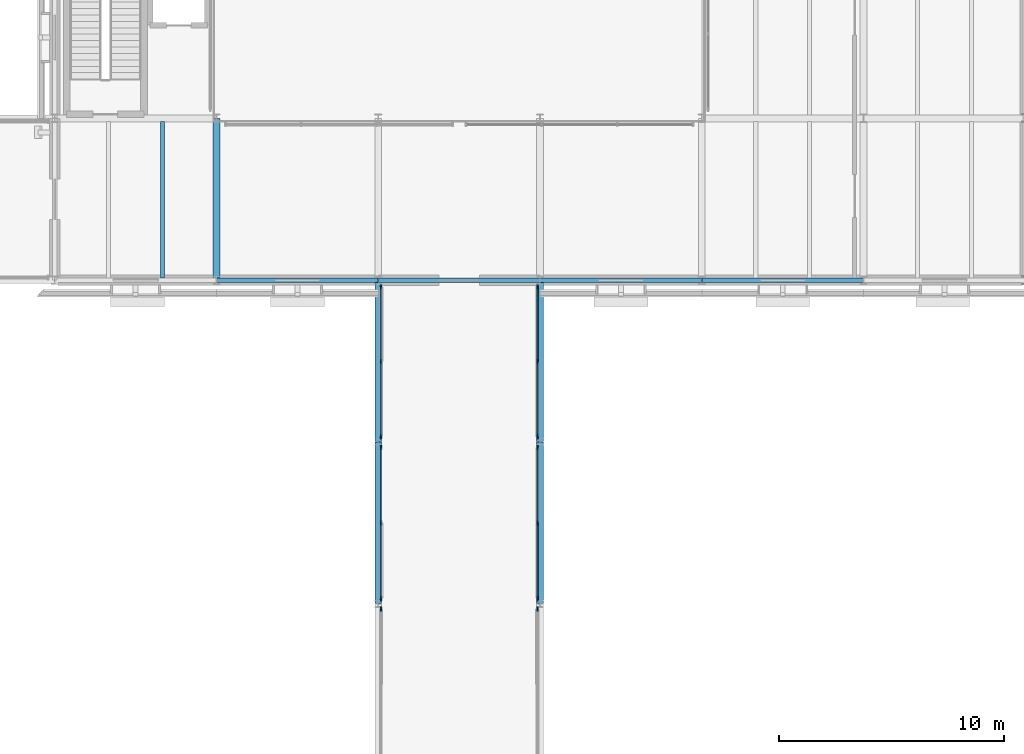
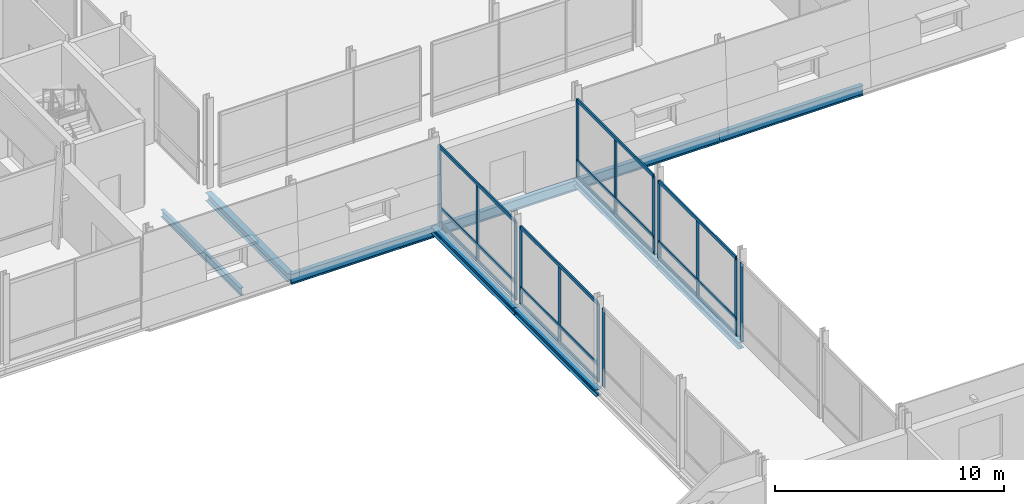
# One storey, part 44 of 121: 26 members, 10 beams, 6 elements without a shape of their own.
"""IFC4 building model written with IfcOpenShell, lengths in metres."""

from ifc_helpers import new_model, si_unit, direction, frame, origin, origin_2d, place, context, subcontext, project, spatial, rectangle, i_section, extrude, material, layer, layer_set, material_profile, profile_set, type_object, element, aggregate, save


model = new_model("IFC4")

# Units and contexts
model_context = context("Model", 3, precision=1e-05, world=origin(), true_north=direction((0.0, 1.0)))
body_context = subcontext(model_context, "Body", "Model", "MODEL_VIEW")
ifc_project = project(units=[si_unit("LENGTHUNIT", "METRE"), si_unit("AREAUNIT", "SQUARE_METRE"), si_unit("VOLUMEUNIT", "CUBIC_METRE"), si_unit("PLANEANGLEUNIT", "RADIAN"), si_unit("MASSUNIT", "GRAM", prefix="KILO")], contexts=[model_context])

# Site, building, storey
site_placement = place(None, origin())
site = spatial("IfcSite", under=ifc_project, at=site_placement, CompositionType="ELEMENT")
building_placement = place(site_placement, origin())
building = spatial("IfcBuilding", under=site, at=building_placement, Name="Narikvali Park Central Library", CompositionType="ELEMENT")
storey_placement = place(building_placement, frame((0.0, 0.0, 5.39990234375)))
storey = spatial("IfcBuildingStorey", under=building, at=storey_placement, Name="L01", CompositionType="ELEMENT", Elevation=5.39990234375)

# Beams
ifc_material_1 = material(Name="Steel S355", Category="steel")
ifc_material_profile_1 = material_profile(ifc_material_1, i_section(OverallWidth=0.300048828125, OverallDepth=0.360107421875, WebThickness=0.012451171875, FlangeThickness=0.0224609375, FilletRadius=0.027099609375, at=origin_2d()), Name="HEB 360")
ifc_profile_set_1 = profile_set([ifc_material_profile_1], Name="Steel S355")
beam_type_1 = type_object("IfcBeamType", Name="Cloister Bridge Girder HEB360", PredefinedType="BEAM", material=ifc_profile_set_1)
for number, where, z_axis, x_axis, name in (
    (1, (136.800048828125, 64.81005859375, -0.429931640625), (0.0, 1.0, 0.0), (-1.0, 0.0, 0.0), "BRG-4 L01 Sliding Bridge Girder 1-3"),
    (2, (136.800048828125, 72.010009765625, -0.429931640625), (0.0, 1.0, 0.0), (-1.0, 0.0, 0.0), "BRG-4 L01 Sliding Bridge Girder 1-4"),
    (3, (144.0, 64.81005859375, -0.429931640625), (0.0, 1.0, 0.0), (-1.0, 0.0, 0.0), "BRG-4 L01 Sliding Bridge Girder 2-3"),
    (4, (144.0, 72.010009765625, -0.429931640625), (0.0, 1.0, 0.0), (-1.0, 0.0, 0.0), "BRG-4 L01 Sliding Bridge Girder 2-4"),
):
    element("IfcBeam", number, at=place(storey_placement, frame(where, z_axis=z_axis, x_axis=x_axis)), inside=storey, type_object=beam_type_1, Name=name, PredefinedType="BEAM", context=body_context, shape_type="SweptSolid", body=[
        extrude(i_section(OverallWidth=0.300048828125, OverallDepth=0.360107421875, WebThickness=0.012451171875, FlangeThickness=0.0224609375, FilletRadius=0.027099609375, at=origin_2d()), origin(), (0.0, 0.0, 1.0), 7.179931640625),
    ])
ifc_material_profile_2 = material_profile(ifc_material_1, i_section(OverallWidth=0.179931640625, OverallDepth=0.39990234375, WebThickness=0.008544921875, FlangeThickness=0.013427734375, FilletRadius=0.02099609375, at=origin_2d()), Name="IPE 400")
ifc_profile_set_2 = profile_set([ifc_material_profile_2], Name="Steel S355")
beam_type_2 = type_object("IfcBeamType", Name="Composite Floor Joist IPE400", PredefinedType="JOIST", material=ifc_profile_set_2)
beam_1_placement = place(storey_placement, frame((127.199951171875, 79.304931640625, -0.47998046875), z_axis=(0.0, 1.0, 0.0), x_axis=(-1.0, 0.0, 0.0)))
element("IfcBeam", 5, at=beam_1_placement, inside=storey, type_object=beam_type_2, Name="V3 L01 Composite Joist 2", PredefinedType="JOIST", context=body_context, shape_type="SweptSolid", body=[
    extrude(i_section(OverallWidth=0.179931640625, OverallDepth=0.39990234375, WebThickness=0.008544921875, FlangeThickness=0.013427734375, FilletRadius=0.02099609375, at=origin_2d()), origin(), (0.0, 0.0, 1.0), 6.945068359375),
])

# Curtain wall, members
ifc_material_2 = material(Name="Anodised Bronze Aluminium", Category="aluminium")
ifc_layer = layer(ifc_material_2, 0.219970703125, Name="Anodised Bronze Aluminium")
ifc_layer_set = layer_set([ifc_layer], Name="Anodised Bronze Aluminium")
curtain_wall_type = type_object("IfcCurtainWallType", Name="Bridge Covered Passage Glazing System", PredefinedType="NOTDEFINED", material=ifc_layer_set)
curtain_wall_1_placement = place(storey_placement, origin())
curtain_wall_1 = element("IfcCurtainWall", 6, at=curtain_wall_1_placement, inside=storey, type_object=curtain_wall_type, Name="Bridge Covered Passage Glazing System CW-BRG-4-L01-W3", PredefinedType="NOTDEFINED")
ifc_material_profile_3 = material_profile(ifc_material_2, rectangle(XDim=0.074951171875, YDim=0.179931640625, at=origin_2d()), Name="CW TRANSOM 75x180")
ifc_profile_set_3 = profile_set([ifc_material_profile_3], Name="Anodised Bronze Aluminium")
member_type_1 = type_object("IfcMemberType", Name="Curtain Wall Heavy Transom 75x180", PredefinedType="USERDEFINED", material=ifc_profile_set_3)
member_1_placement = place(storey_placement, frame((136.919921875, 65.0400390625, 0.030029296875), z_axis=(0.0, 1.0, 0.0), x_axis=(-1.0, 0.0, 0.0)))
member_1 = element("IfcMember", 7, at=member_1_placement, type_object=member_type_1, Name="CW-BRG-4-L01-W3 Transom 00", ObjectType="TRANSOM", PredefinedType="USERDEFINED", context=body_context, shape_type="SweptSolid", body=[
    extrude(rectangle(XDim=0.074951171875, YDim=0.179931640625, at=origin_2d()), origin(), (0.0, 0.0, 1.0), 6.719970703125),
])
member_2_placement = place(storey_placement, frame((136.919921875, 65.0400390625, 0.900146484375), z_axis=(0.0, 1.0, 0.0), x_axis=(-1.0, 0.0, 0.0)))
member_2 = element("IfcMember", 8, at=member_2_placement, type_object=member_type_1, Name="CW-BRG-4-L01-W3 Transom 01", ObjectType="TRANSOM", PredefinedType="USERDEFINED", context=body_context, shape_type="SweptSolid", body=[
    extrude(rectangle(XDim=0.074951171875, YDim=0.179931640625, at=origin_2d()), origin(), (0.0, 0.0, 1.0), 6.719970703125),
])
member_3_placement = place(storey_placement, frame((136.919921875, 65.0400390625, 4.1201171875), z_axis=(0.0, 1.0, 0.0), x_axis=(-1.0, 0.0, 0.0)))
member_3 = element("IfcMember", 9, at=member_3_placement, type_object=member_type_1, Name="CW-BRG-4-L01-W3 Transom 02", ObjectType="TRANSOM", PredefinedType="USERDEFINED", context=body_context, shape_type="SweptSolid", body=[
    extrude(rectangle(XDim=0.074951171875, YDim=0.179931640625, at=origin_2d()), origin(), (0.0, 0.0, 1.0), 6.719970703125),
])

curtain_wall_2_placement = place(storey_placement, origin())
curtain_wall_2 = element("IfcCurtainWall", 10, at=curtain_wall_2_placement, inside=storey, type_object=curtain_wall_type, Name="Bridge Covered Passage Glazing System CW-BRG-4-L01-E3", PredefinedType="NOTDEFINED")
member_4_placement = place(storey_placement, frame((143.8798828125, 65.0400390625, 0.030029296875), z_axis=(0.0, 1.0, 0.0), x_axis=(-1.0, 0.0, 0.0)))
member_4 = element("IfcMember", 11, at=member_4_placement, type_object=member_type_1, Name="CW-BRG-4-L01-E3 Transom 00", ObjectType="TRANSOM", PredefinedType="USERDEFINED", context=body_context, shape_type="SweptSolid", body=[
    extrude(rectangle(XDim=0.074951171875, YDim=0.179931640625, at=origin_2d()), origin(), (0.0, 0.0, 1.0), 6.719970703125),
])
member_5_placement = place(storey_placement, frame((143.8798828125, 65.0400390625, 0.900146484375), z_axis=(0.0, 1.0, 0.0), x_axis=(-1.0, 0.0, 0.0)))
member_5 = element("IfcMember", 12, at=member_5_placement, type_object=member_type_1, Name="CW-BRG-4-L01-E3 Transom 01", ObjectType="TRANSOM", PredefinedType="USERDEFINED", context=body_context, shape_type="SweptSolid", body=[
    extrude(rectangle(XDim=0.074951171875, YDim=0.179931640625, at=origin_2d()), origin(), (0.0, 0.0, 1.0), 6.719970703125),
])
member_6_placement = place(storey_placement, frame((143.8798828125, 65.0400390625, 4.1201171875), z_axis=(0.0, 1.0, 0.0), x_axis=(-1.0, 0.0, 0.0)))
member_6 = element("IfcMember", 13, at=member_6_placement, type_object=member_type_1, Name="CW-BRG-4-L01-E3 Transom 02", ObjectType="TRANSOM", PredefinedType="USERDEFINED", context=body_context, shape_type="SweptSolid", body=[
    extrude(rectangle(XDim=0.074951171875, YDim=0.179931640625, at=origin_2d()), origin(), (0.0, 0.0, 1.0), 6.719970703125),
])

curtain_wall_3_placement = place(storey_placement, origin())
curtain_wall_3 = element("IfcCurtainWall", 14, at=curtain_wall_3_placement, inside=storey, type_object=curtain_wall_type, Name="Bridge Covered Passage Glazing System CW-BRG-4-L01-W4", PredefinedType="NOTDEFINED")
member_7_placement = place(storey_placement, frame((136.919921875, 72.239990234375, 0.030029296875), z_axis=(0.0, 1.0, 0.0), x_axis=(-1.0, 0.0, 0.0)))
member_7 = element("IfcMember", 15, at=member_7_placement, type_object=member_type_1, Name="CW-BRG-4-L01-W4 Transom 00", ObjectType="TRANSOM", PredefinedType="USERDEFINED", context=body_context, shape_type="SweptSolid", body=[
    extrude(rectangle(XDim=0.074951171875, YDim=0.179931640625, at=origin_2d()), origin(), (0.0, 0.0, 1.0), 6.659912109375),
])
member_8_placement = place(storey_placement, frame((136.919921875, 72.239990234375, 0.900146484375), z_axis=(0.0, 1.0, 0.0), x_axis=(-1.0, 0.0, 0.0)))
member_8 = element("IfcMember", 16, at=member_8_placement, type_object=member_type_1, Name="CW-BRG-4-L01-W4 Transom 01", ObjectType="TRANSOM", PredefinedType="USERDEFINED", context=body_context, shape_type="SweptSolid", body=[
    extrude(rectangle(XDim=0.074951171875, YDim=0.179931640625, at=origin_2d()), origin(), (0.0, 0.0, 1.0), 6.659912109375),
])
member_9_placement = place(storey_placement, frame((136.919921875, 72.239990234375, 4.1201171875), z_axis=(0.0, 1.0, 0.0), x_axis=(-1.0, 0.0, 0.0)))
member_9 = element("IfcMember", 17, at=member_9_placement, type_object=member_type_1, Name="CW-BRG-4-L01-W4 Transom 02", ObjectType="TRANSOM", PredefinedType="USERDEFINED", context=body_context, shape_type="SweptSolid", body=[
    extrude(rectangle(XDim=0.074951171875, YDim=0.179931640625, at=origin_2d()), origin(), (0.0, 0.0, 1.0), 6.659912109375),
])

curtain_wall_4_placement = place(storey_placement, origin())
curtain_wall_4 = element("IfcCurtainWall", 18, at=curtain_wall_4_placement, inside=storey, type_object=curtain_wall_type, Name="Bridge Covered Passage Glazing System CW-BRG-4-L01-E4", PredefinedType="NOTDEFINED")
member_10_placement = place(storey_placement, frame((143.8798828125, 72.239990234375, 0.030029296875), z_axis=(0.0, 1.0, 0.0), x_axis=(-1.0, 0.0, 0.0)))
member_10 = element("IfcMember", 19, at=member_10_placement, type_object=member_type_1, Name="CW-BRG-4-L01-E4 Transom 00", ObjectType="TRANSOM", PredefinedType="USERDEFINED", context=body_context, shape_type="SweptSolid", body=[
    extrude(rectangle(XDim=0.074951171875, YDim=0.179931640625, at=origin_2d()), origin(), (0.0, 0.0, 1.0), 6.659912109375),
])
member_11_placement = place(storey_placement, frame((143.8798828125, 72.239990234375, 0.900146484375), z_axis=(0.0, 1.0, 0.0), x_axis=(-1.0, 0.0, 0.0)))
member_11 = element("IfcMember", 20, at=member_11_placement, type_object=member_type_1, Name="CW-BRG-4-L01-E4 Transom 01", ObjectType="TRANSOM", PredefinedType="USERDEFINED", context=body_context, shape_type="SweptSolid", body=[
    extrude(rectangle(XDim=0.074951171875, YDim=0.179931640625, at=origin_2d()), origin(), (0.0, 0.0, 1.0), 6.659912109375),
])
member_12_placement = place(storey_placement, frame((143.8798828125, 72.239990234375, 4.1201171875), z_axis=(0.0, 1.0, 0.0), x_axis=(-1.0, 0.0, 0.0)))
member_12 = element("IfcMember", 21, at=member_12_placement, type_object=member_type_1, Name="CW-BRG-4-L01-E4 Transom 02", ObjectType="TRANSOM", PredefinedType="USERDEFINED", context=body_context, shape_type="SweptSolid", body=[
    extrude(rectangle(XDim=0.074951171875, YDim=0.179931640625, at=origin_2d()), origin(), (0.0, 0.0, 1.0), 6.659912109375),
])

# Curtain wall, member
curtain_wall_5_placement = place(storey_placement, origin())
curtain_wall_5 = element("IfcCurtainWall", 22, at=curtain_wall_5_placement, inside=storey, type_object=curtain_wall_type, Name="Bridge Covered Passage Glazing System CW-BRG-4-L01-W2", PredefinedType="NOTDEFINED")
ifc_material_profile_4 = material_profile(ifc_material_2, rectangle(XDim=0.070068359375, YDim=0.199951171875, at=origin_2d()), Name="CW MULLION 70x200")
ifc_profile_set_4 = profile_set([ifc_material_profile_4], Name="Anodised Bronze Aluminium")
member_type_2 = type_object("IfcMemberType", Name="Curtain Wall Mullion 70x200", PredefinedType="MULLION", material=ifc_profile_set_4)
member_13_placement = place(storey_placement, frame((136.919921875, 64.56005859375, -0.010009765625), z_axis=(0.0, 0.0, 1.0), x_axis=(1.0, 0.0, 0.0)))
member_13 = element("IfcMember", 23, at=member_13_placement, type_object=member_type_2, Name="CW-BRG-4-L01-W2 Mullion 02", PredefinedType="MULLION", context=body_context, shape_type="SweptSolid", body=[
    extrude(rectangle(XDim=0.070068359375, YDim=0.199951171875, at=origin_2d()), origin(), (0.0, 0.0, 1.0), 4.16015625),
])
aggregate(curtain_wall_5, [member_13])

curtain_wall_6_placement = place(storey_placement, origin())
curtain_wall_6 = element("IfcCurtainWall", 24, at=curtain_wall_6_placement, inside=storey, type_object=curtain_wall_type, Name="Bridge Covered Passage Glazing System CW-BRG-4-L01-E2", PredefinedType="NOTDEFINED")
member_14_placement = place(storey_placement, frame((143.8798828125, 64.56005859375, -0.010009765625), z_axis=(0.0, 0.0, 1.0), x_axis=(1.0, 0.0, 0.0)))
member_14 = element("IfcMember", 25, at=member_14_placement, type_object=member_type_2, Name="CW-BRG-4-L01-E2 Mullion 02", PredefinedType="MULLION", context=body_context, shape_type="SweptSolid", body=[
    extrude(rectangle(XDim=0.070068359375, YDim=0.199951171875, at=origin_2d()), origin(), (0.0, 0.0, 1.0), 4.16015625),
])
aggregate(curtain_wall_6, [member_14])

# Member
member_15_placement = place(storey_placement, frame((136.919921875, 65.0400390625, -0.010009765625), z_axis=(0.0, 0.0, 1.0), x_axis=(1.0, 0.0, 0.0)))
member_15 = element("IfcMember", 26, at=member_15_placement, type_object=member_type_2, Name="CW-BRG-4-L01-W3 Mullion 00", PredefinedType="MULLION", context=body_context, shape_type="SweptSolid", body=[
    extrude(rectangle(XDim=0.070068359375, YDim=0.199951171875, at=origin_2d()), origin(), (0.0, 0.0, 1.0), 4.16015625),
])

member_16_placement = place(storey_placement, frame((136.919921875, 68.39990234375, -0.010009765625), z_axis=(0.0, 0.0, 1.0), x_axis=(1.0, 0.0, 0.0)))
member_16 = element("IfcMember", 27, at=member_16_placement, type_object=member_type_2, Name="CW-BRG-4-L01-W3 Mullion 01", PredefinedType="MULLION", context=body_context, shape_type="SweptSolid", body=[
    extrude(rectangle(XDim=0.070068359375, YDim=0.199951171875, at=origin_2d()), origin(), (0.0, 0.0, 1.0), 4.16015625),
])

member_17_placement = place(storey_placement, frame((136.919921875, 71.760009765625, -0.010009765625), z_axis=(0.0, 0.0, 1.0), x_axis=(1.0, 0.0, 0.0)))
member_17 = element("IfcMember", 28, at=member_17_placement, type_object=member_type_2, Name="CW-BRG-4-L01-W3 Mullion 02", PredefinedType="MULLION", context=body_context, shape_type="SweptSolid", body=[
    extrude(rectangle(XDim=0.070068359375, YDim=0.199951171875, at=origin_2d()), origin(), (0.0, 0.0, 1.0), 4.16015625),
])

aggregate(curtain_wall_1, [member_15, member_16, member_17, member_1, member_2, member_3])

member_18_placement = place(storey_placement, frame((143.8798828125, 65.0400390625, -0.010009765625), z_axis=(0.0, 0.0, 1.0), x_axis=(1.0, 0.0, 0.0)))
member_18 = element("IfcMember", 29, at=member_18_placement, type_object=member_type_2, Name="CW-BRG-4-L01-E3 Mullion 00", PredefinedType="MULLION", context=body_context, shape_type="SweptSolid", body=[
    extrude(rectangle(XDim=0.070068359375, YDim=0.199951171875, at=origin_2d()), origin(), (0.0, 0.0, 1.0), 4.16015625),
])

member_19_placement = place(storey_placement, frame((143.8798828125, 68.39990234375, -0.010009765625), z_axis=(0.0, 0.0, 1.0), x_axis=(1.0, 0.0, 0.0)))
member_19 = element("IfcMember", 30, at=member_19_placement, type_object=member_type_2, Name="CW-BRG-4-L01-E3 Mullion 01", PredefinedType="MULLION", context=body_context, shape_type="SweptSolid", body=[
    extrude(rectangle(XDim=0.070068359375, YDim=0.199951171875, at=origin_2d()), origin(), (0.0, 0.0, 1.0), 4.16015625),
])

member_20_placement = place(storey_placement, frame((143.8798828125, 71.760009765625, -0.010009765625), z_axis=(0.0, 0.0, 1.0), x_axis=(1.0, 0.0, 0.0)))
member_20 = element("IfcMember", 31, at=member_20_placement, type_object=member_type_2, Name="CW-BRG-4-L01-E3 Mullion 02", PredefinedType="MULLION", context=body_context, shape_type="SweptSolid", body=[
    extrude(rectangle(XDim=0.070068359375, YDim=0.199951171875, at=origin_2d()), origin(), (0.0, 0.0, 1.0), 4.16015625),
])

aggregate(curtain_wall_2, [member_18, member_19, member_20, member_4, member_5, member_6])

member_21_placement = place(storey_placement, frame((136.919921875, 72.239990234375, -0.010009765625), z_axis=(0.0, 0.0, 1.0), x_axis=(1.0, 0.0, 0.0)))
member_21 = element("IfcMember", 32, at=member_21_placement, type_object=member_type_2, Name="CW-BRG-4-L01-W4 Mullion 00", PredefinedType="MULLION", context=body_context, shape_type="SweptSolid", body=[
    extrude(rectangle(XDim=0.070068359375, YDim=0.199951171875, at=origin_2d()), origin(), (0.0, 0.0, 1.0), 4.16015625),
])

member_22_placement = place(storey_placement, frame((136.919921875, 75.570068359375, -0.010009765625), z_axis=(0.0, 0.0, 1.0), x_axis=(1.0, 0.0, 0.0)))
member_22 = element("IfcMember", 33, at=member_22_placement, type_object=member_type_2, Name="CW-BRG-4-L01-W4 Mullion 01", PredefinedType="MULLION", context=body_context, shape_type="SweptSolid", body=[
    extrude(rectangle(XDim=0.070068359375, YDim=0.199951171875, at=origin_2d()), origin(), (0.0, 0.0, 1.0), 4.16015625),
])

member_23_placement = place(storey_placement, frame((136.919921875, 78.89990234375, -0.010009765625), z_axis=(0.0, 0.0, 1.0), x_axis=(1.0, 0.0, 0.0)))
member_23 = element("IfcMember", 34, at=member_23_placement, type_object=member_type_2, Name="CW-BRG-4-L01-W4 Mullion 02", PredefinedType="MULLION", context=body_context, shape_type="SweptSolid", body=[
    extrude(rectangle(XDim=0.070068359375, YDim=0.199951171875, at=origin_2d()), origin(), (0.0, 0.0, 1.0), 4.16015625),
])

aggregate(curtain_wall_3, [member_21, member_22, member_23, member_7, member_8, member_9])

member_24_placement = place(storey_placement, frame((143.8798828125, 72.239990234375, -0.010009765625), z_axis=(0.0, 0.0, 1.0), x_axis=(1.0, 0.0, 0.0)))
member_24 = element("IfcMember", 35, at=member_24_placement, type_object=member_type_2, Name="CW-BRG-4-L01-E4 Mullion 00", PredefinedType="MULLION", context=body_context, shape_type="SweptSolid", body=[
    extrude(rectangle(XDim=0.070068359375, YDim=0.199951171875, at=origin_2d()), origin(), (0.0, 0.0, 1.0), 4.16015625),
])

member_25_placement = place(storey_placement, frame((143.8798828125, 75.570068359375, -0.010009765625), z_axis=(0.0, 0.0, 1.0), x_axis=(1.0, 0.0, 0.0)))
member_25 = element("IfcMember", 36, at=member_25_placement, type_object=member_type_2, Name="CW-BRG-4-L01-E4 Mullion 01", PredefinedType="MULLION", context=body_context, shape_type="SweptSolid", body=[
    extrude(rectangle(XDim=0.070068359375, YDim=0.199951171875, at=origin_2d()), origin(), (0.0, 0.0, 1.0), 4.16015625),
])

member_26_placement = place(storey_placement, frame((143.8798828125, 78.89990234375, -0.010009765625), z_axis=(0.0, 0.0, 1.0), x_axis=(1.0, 0.0, 0.0)))
member_26 = element("IfcMember", 37, at=member_26_placement, type_object=member_type_2, Name="CW-BRG-4-L01-E4 Mullion 02", PredefinedType="MULLION", context=body_context, shape_type="SweptSolid", body=[
    extrude(rectangle(XDim=0.070068359375, YDim=0.199951171875, at=origin_2d()), origin(), (0.0, 0.0, 1.0), 4.16015625),
])

aggregate(curtain_wall_4, [member_24, member_25, member_26, member_10, member_11, member_12])

# Beams
ifc_material_profile_5 = material_profile(ifc_material_1, i_section(OverallWidth=0.2099609375, OverallDepth=0.550048828125, WebThickness=0.010986328125, FlangeThickness=0.01708984375, FilletRadius=0.02392578125, at=origin_2d()), Name="IPE 550")
ifc_profile_set_5 = profile_set([ifc_material_profile_5], Name="Steel S355")
beam_type_3 = type_object("IfcBeamType", Name="Perimeter Spandrel IPE550", PredefinedType="SPANDREL", material=ifc_profile_set_5)
beam_2_placement = place(storey_placement, frame((129.60791015625, 79.199951171875, -0.554931640625), z_axis=(1.0, 0.0, 0.0), x_axis=(0.0, 1.0, 0.0)))
element("IfcBeam", 38, at=beam_2_placement, inside=storey, type_object=beam_type_3, Name="V3 L01 Girder X", PredefinedType="SPANDREL", context=body_context, shape_type="SweptSolid", body=[
    extrude(i_section(OverallWidth=0.2099609375, OverallDepth=0.550048828125, WebThickness=0.010986328125, FlangeThickness=0.01708984375, FilletRadius=0.02392578125, at=origin_2d()), origin(), (0.0, 0.0, 1.0), 7.18408203125),
])
for number, where, z_axis, x_axis, name in (
    (39, (136.80810546875, 79.199951171875, -0.554931640625), (1.0, 0.0, 0.0), (0.0, 1.0, 0.0), "V3 L01 Girder X"),
    (40, (144.008056640625, 79.199951171875, -0.554931640625), (1.0, 0.0, 0.0), (0.0, 1.0, 0.0), "V3 L01 Girder X"),
):
    element("IfcBeam", number, at=place(storey_placement, frame(where, z_axis=z_axis, x_axis=x_axis)), inside=storey, type_object=beam_type_3, Name=name, PredefinedType="SPANDREL", context=body_context, shape_type="SweptSolid", body=[
        extrude(i_section(OverallWidth=0.2099609375, OverallDepth=0.550048828125, WebThickness=0.010986328125, FlangeThickness=0.01708984375, FilletRadius=0.02392578125, at=origin_2d()), origin(), (0.0, 0.0, 1.0), 7.183837890625),
    ])
beam_3_placement = place(storey_placement, frame((151.2080078125, 79.199951171875, -0.554931640625), z_axis=(1.0, 0.0, 0.0), x_axis=(0.0, 1.0, 0.0)))
element("IfcBeam", 41, at=beam_3_placement, inside=storey, type_object=beam_type_3, Name="V3 L01 Girder X", PredefinedType="SPANDREL", context=body_context, shape_type="SweptSolid", body=[
    extrude(i_section(OverallWidth=0.2099609375, OverallDepth=0.550048828125, WebThickness=0.010986328125, FlangeThickness=0.01708984375, FilletRadius=0.02392578125, at=origin_2d()), origin(), (0.0, 0.0, 1.0), 7.18408203125),
])
ifc_material_profile_6 = material_profile(ifc_material_1, i_section(OverallWidth=0.300048828125, OverallDepth=0.43994140625, WebThickness=0.011474609375, FlangeThickness=0.02099609375, FilletRadius=0.027099609375, at=origin_2d()), Name="HEA 450")
ifc_profile_set_6 = profile_set([ifc_material_profile_6], Name="Steel S355")
beam_type_4 = type_object("IfcBeamType", Name="Primary Girder HEA450", PredefinedType="BEAM", material=ifc_profile_set_6)
beam_4_placement = place(storey_placement, frame((129.60009765625, 79.2080078125, -0.5), z_axis=(0.0, 1.0, 0.0), x_axis=(-1.0, 0.0, 0.0)))
element("IfcBeam", 42, at=beam_4_placement, inside=storey, type_object=beam_type_4, Name="V3 L01 Girder Y", PredefinedType="BEAM", context=body_context, shape_type="SweptSolid", body=[
    extrude(i_section(OverallWidth=0.300048828125, OverallDepth=0.43994140625, WebThickness=0.011474609375, FlangeThickness=0.02099609375, FilletRadius=0.027099609375, at=origin_2d()), origin(), (0.0, 0.0, 1.0), 7.18408203125),
])

save(model, "model.ifc")
